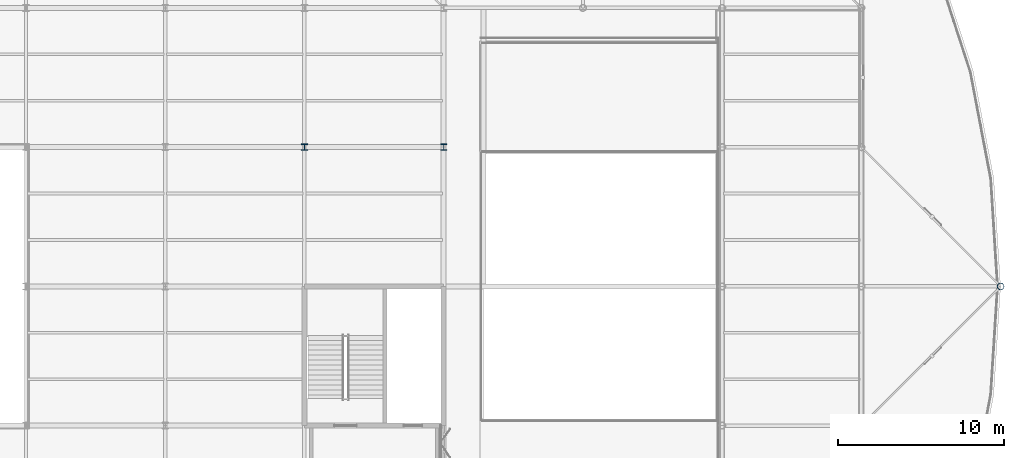
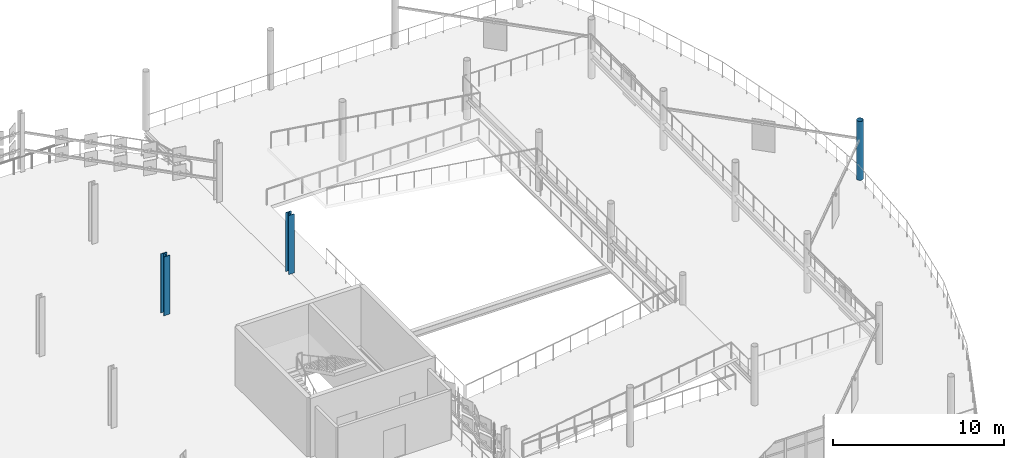
# One storey, part 23 of 163: 3 columns.
"""IFC4 building model written with IfcOpenShell, lengths in metres."""

from ifc_helpers import new_model, si_unit, direction, frame, origin, origin_2d, place, context, subcontext, project, spatial, hollow_circle, i_section, extrude, material, material_profile, profile_set, type_object, element, save


model = new_model("IFC4")

# Units and contexts
model_context = context("Model", 3, precision=1e-05, world=origin(), true_north=direction((0.0, 1.0)))
body_context = subcontext(model_context, "Body", "Model", "MODEL_VIEW")
ifc_project = project(units=[si_unit("LENGTHUNIT", "METRE"), si_unit("AREAUNIT", "SQUARE_METRE"), si_unit("VOLUMEUNIT", "CUBIC_METRE"), si_unit("PLANEANGLEUNIT", "RADIAN"), si_unit("MASSUNIT", "GRAM", prefix="KILO")], contexts=[model_context])

# Site, building, storey
site_placement = place(None, origin())
site = spatial("IfcSite", under=ifc_project, at=site_placement, CompositionType="ELEMENT")
building_placement = place(site_placement, origin())
building = spatial("IfcBuilding", under=site, at=building_placement, Name="Qalvenar Corner Mobility Hub", CompositionType="ELEMENT")
storey_placement = place(building_placement, frame((0.0, 0.0, 4.800048828125)))
storey = spatial("IfcBuildingStorey", under=building, at=storey_placement, Name="L01", CompositionType="ELEMENT", Elevation=4.800048828125)

# Columns
ifc_material = material(Name="Steel S355", Category="steel")
ifc_material_profile_1 = material_profile(ifc_material, hollow_circle(Radius=0.203125, WallThickness=0.012451171875, at=origin_2d()), Name="CHS406.4x12.5")
ifc_profile_set_1 = profile_set([ifc_material_profile_1], Name="Steel S355")
column_type_1 = type_object("IfcColumnType", Name="COL-CHS406", PredefinedType="COLUMN", material=ifc_profile_set_1)
column_1_placement = place(storey_placement, frame((176.39990234375, 92.39990234375, 0.0), z_axis=(0.0, 0.0, 1.0), x_axis=(1.0, 0.0, 0.0)))
element("IfcColumn", 1, at=column_1_placement, inside=storey, type_object=column_type_1, Name="Steel Column L01-G22-11", PredefinedType="COLUMN", context=body_context, shape_type="SweptSolid", body=[
    extrude(hollow_circle(Radius=0.203125, WallThickness=0.012451171875, at=origin_2d()), origin(), (0.0, 0.0, 1.0), 4.199951171875),
])
ifc_material_profile_2 = material_profile(ifc_material, i_section(OverallWidth=0.376953125, OverallDepth=0.386962890625, WebThickness=0.0224609375, FlangeThickness=0.035888671875, FilletRadius=0.014892578125, at=origin_2d()), Name="HD360x262")
ifc_profile_set_2 = profile_set([ifc_material_profile_2], Name="Steel S355")
column_type_2 = type_object("IfcColumnType", Name="COL-HD360X262", PredefinedType="COLUMN", material=ifc_profile_set_2)
column_2_placement = place(storey_placement, frame((142.800048828125, 100.800048828125, 0.0), z_axis=(0.0, 0.0, 1.0), x_axis=(1.0, 0.0, 0.0)))
element("IfcColumn", 2, at=column_2_placement, inside=storey, type_object=column_type_2, Name="Steel Column L01-G18-12", PredefinedType="COLUMN", context=body_context, shape_type="SweptSolid", body=[
    extrude(i_section(OverallWidth=0.376953125, OverallDepth=0.386962890625, WebThickness=0.0224609375, FlangeThickness=0.035888671875, FilletRadius=0.014892578125, at=origin_2d()), origin(), (0.0, 0.0, 1.0), 4.199951171875),
])
ifc_material_profile_3 = material_profile(ifc_material, i_section(OverallWidth=0.40087890625, OverallDepth=0.39892578125, WebThickness=0.02490234375, FlangeThickness=0.03955078125, FilletRadius=0.014892578125, at=origin_2d()), Name="HD400x314")
ifc_profile_set_3 = profile_set([ifc_material_profile_3], Name="Steel S355")
column_type_3 = type_object("IfcColumnType", Name="COL-HD400X314", PredefinedType="COLUMN", material=ifc_profile_set_3)
column_3_placement = place(storey_placement, frame((134.39990234375, 100.800048828125, 0.0), z_axis=(0.0, 0.0, 1.0), x_axis=(1.0, 0.0, 0.0)))
element("IfcColumn", 3, at=column_3_placement, inside=storey, type_object=column_type_3, Name="Steel Column L01-G17-12", PredefinedType="COLUMN", context=body_context, shape_type="SweptSolid", body=[
    extrude(i_section(OverallWidth=0.40087890625, OverallDepth=0.39892578125, WebThickness=0.02490234375, FlangeThickness=0.03955078125, FilletRadius=0.014892578125, at=origin_2d()), origin(), (0.0, 0.0, 1.0), 4.199951171875),
])

save(model, "model.ifc")
